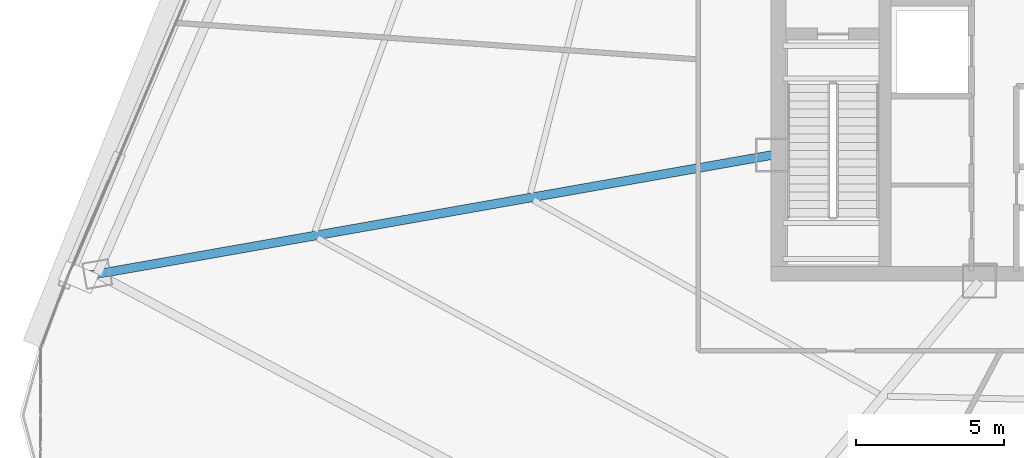
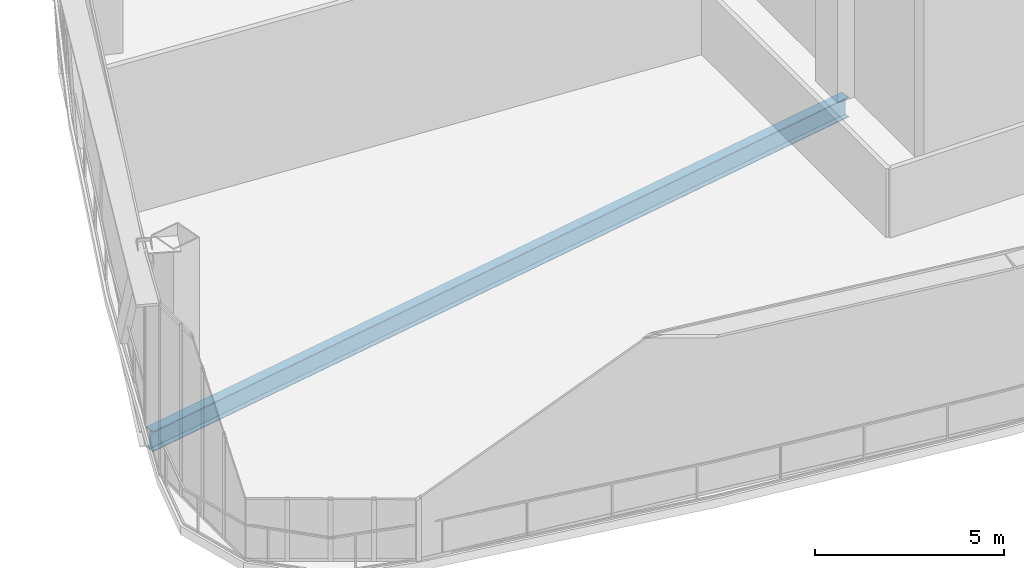
# One storey, part 5 of 38: 1 beam.
"""IFC4 building model written with IfcOpenShell, lengths in metres."""

from ifc_helpers import new_model, si_unit, direction, frame, origin, origin_2d, place, context, subcontext, project, spatial, i_section, extrude, source, transform, mapped, material, material_profile, profile_set, type_object, element, save


model = new_model("IFC4")

# Units and contexts
model_context = context("Model", 3, precision=1e-05, world=origin(), true_north=direction((0.0, 1.0)))
body_context = subcontext(model_context, "Body", "Model", "MODEL_VIEW")
ifc_project = project(units=[si_unit("LENGTHUNIT", "METRE"), si_unit("AREAUNIT", "SQUARE_METRE"), si_unit("VOLUMEUNIT", "CUBIC_METRE"), si_unit("PLANEANGLEUNIT", "RADIAN"), si_unit("MASSUNIT", "GRAM", prefix="KILO"), si_unit("THERMODYNAMICTEMPERATUREUNIT", "KELVIN"), si_unit("POWERUNIT", "WATT")], contexts=[model_context])

# Site, building, storey
site_placement = place(None, origin())
site = spatial("IfcSite", under=ifc_project, at=site_placement, CompositionType="ELEMENT")
building_placement = place(site_placement, origin())
building = spatial("IfcBuilding", under=site, at=building_placement, Name="Yunzhuo Pagoda Commons", CompositionType="ELEMENT")
storey_placement = place(building_placement, frame((0.0, 0.0, 218.9599609375)))
storey = spatial("IfcBuildingStorey", under=building, at=storey_placement, Name="L55", CompositionType="ELEMENT", Elevation=218.9599609375)

# Beam
ifc_material = material(Name="Structural steel Q355B", Category="steel")
ifc_material_profile = material_profile(ifc_material, i_section(OverallWidth=0.300048828125, OverallDepth=0.64990234375, WebThickness=0.012939453125, FlangeThickness=0.02197265625, at=origin_2d()), Name="Structural steel Q355B")
ifc_profile_set = profile_set([ifc_material_profile], Name="Structural steel Q355B")
beam_type = type_object("IfcBeamType", Name="B-RG2 Beam HN 650x300x13x22", PredefinedType="BEAM", material=ifc_profile_set)
shared_shape = source(origin(), body_context, "Body", "SweptSolid", [
    extrude(i_section(OverallWidth=0.300048828125, OverallDepth=0.64990234375, WebThickness=0.012939453125, FlangeThickness=0.02197265625, at=origin_2d()), origin(), (0.0, 0.0, 1.0), 24.053466796875),
])
beam_placement = place(storey_placement, frame((11.912109375, 27.336669921875, -0.604736328125), z_axis=(0.98480827656, 0.173645208453, 0.0), x_axis=(-0.173645208453, 0.98480827656, 0.0)))
element("IfcBeam", 1, at=beam_placement, inside=storey, type_object=beam_type, Name="L55 radial floor girder F3C4", PredefinedType="BEAM", context=body_context, shape_type="MappedRepresentation", body=[
    mapped(shared_shape, transform((0.0, 0.0, 0.0), scale=1.0)),
])

save(model, "model.ifc")
